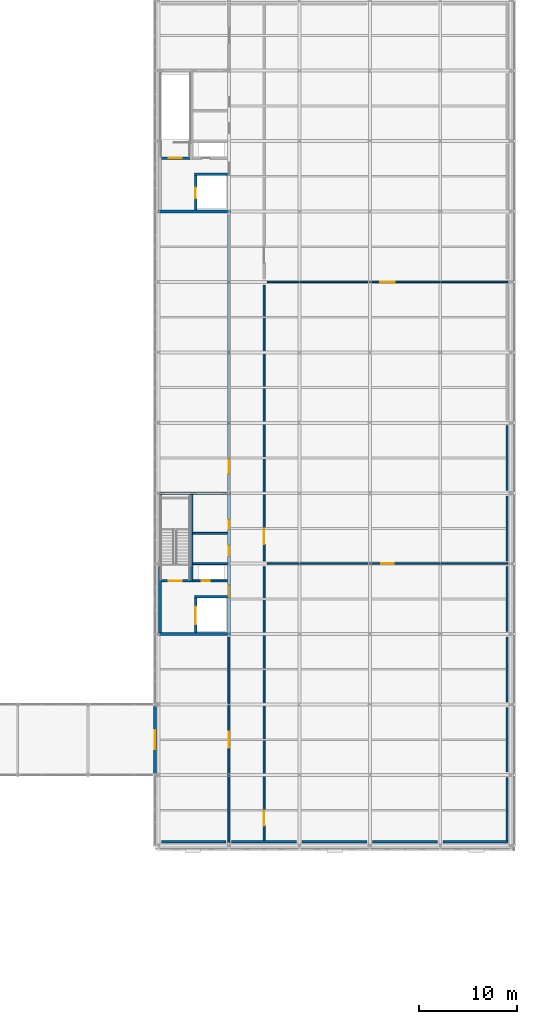
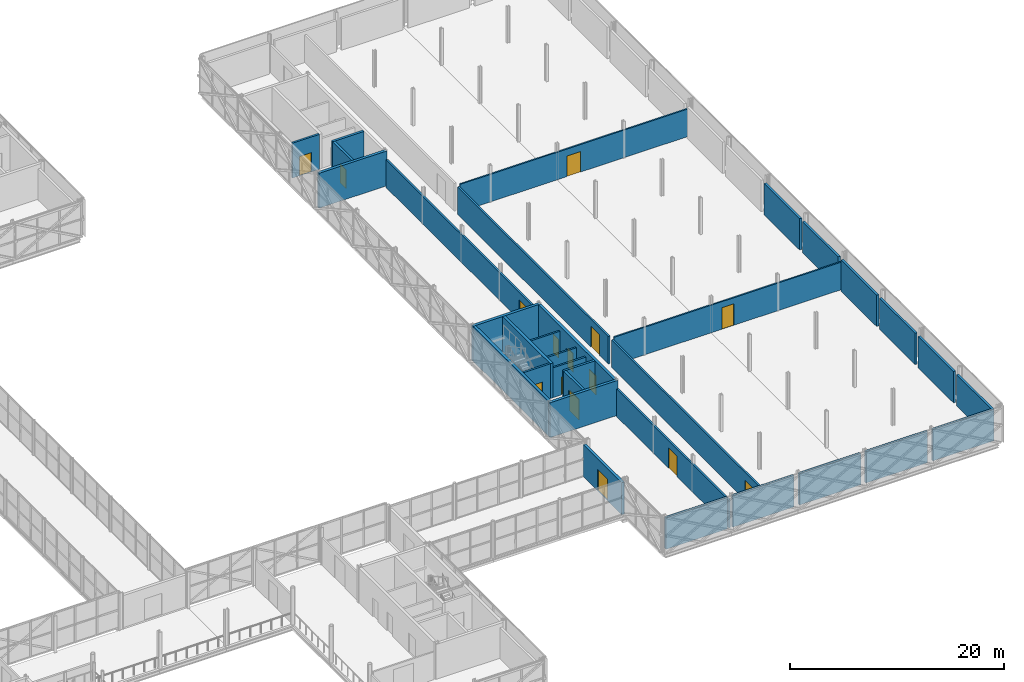
# One storey, part 125 of 146: 33 walls, 15 doors, 15 openings.
"""IFC4 building model written with IfcOpenShell, lengths in metres."""

from ifc_helpers import new_model, si_unit, direction, frame, frame_2d, origin, place, context, subcontext, project, spatial, rectangle, extrude, material, layer, layer_set, type_object, element, fill, save


model = new_model("IFC4")

# Units and contexts
model_context = context("Model", 3, precision=1e-05, world=origin(), true_north=direction((0.0, 1.0)))
body_context = subcontext(model_context, "Body", "Model", "MODEL_VIEW")
ifc_project = project(units=[si_unit("LENGTHUNIT", "METRE"), si_unit("AREAUNIT", "SQUARE_METRE"), si_unit("VOLUMEUNIT", "CUBIC_METRE"), si_unit("PLANEANGLEUNIT", "RADIAN"), si_unit("MASSUNIT", "GRAM", prefix="KILO")], contexts=[model_context])

# Site, building, storey
site_placement = place(None, origin())
site = spatial("IfcSite", under=ifc_project, at=site_placement, CompositionType="ELEMENT")
building_placement = place(site_placement, origin())
building = spatial("IfcBuilding", under=site, at=building_placement, Name="Zlatovets Crest Museum", CompositionType="ELEMENT")
storey_placement = place(building_placement, frame((0.0, 0.0, 4.5)))
storey = spatial("IfcBuildingStorey", under=building, at=storey_placement, Name="L01", CompositionType="ELEMENT", Elevation=4.5)

# Walls
ifc_material_1 = material(Name="Concrete C35/45", Category="concrete")
ifc_layer_1 = layer(ifc_material_1, 0.300048828125)
ifc_layer_set_1 = layer_set([ifc_layer_1], Name="Concrete C35/45")
wall_type_1 = type_object("IfcWallType", Name="CoreWall_SW01", PredefinedType="SHEAR", material=ifc_layer_set_1)
for number, where, z_axis, x_axis, name in (
    (1, (129.60009765625, 36.0, 0.0), (0.0, 0.0, 1.0), (1.0, 0.0, 0.0), "Core C5 L01 South Shear Wall"),
    (2, (129.60009765625, 50.39990234375, 0.0), (0.0, 0.0, 1.0), (1.0, 0.0, 0.0), "Core C5 L01 North Shear Wall"),
):
    element("IfcWall", number, at=place(storey_placement, frame(where, z_axis=z_axis, x_axis=x_axis)), inside=storey, type_object=wall_type_1, Name=name, PredefinedType="SHEAR", context=body_context, shape_type="SweptSolid", body=[
        extrude(rectangle(XDim=7.349853515625, YDim=0.300048828125, at=frame_2d((3.6748046875, 0.0))), origin(), (0.0, 0.0, 1.0), 3.97998046875),
    ])
wall_1_placement = place(storey_placement, frame((129.75, 36.14990234375, 0.0), z_axis=(0.0, 0.0, 1.0), x_axis=(0.0, 1.0, 0.0)))
element("IfcWall", 3, at=wall_1_placement, inside=storey, type_object=wall_type_1, Name="Core C5 L01 Perimeter Shear Wall", PredefinedType="SHEAR", context=body_context, shape_type="SweptSolid", body=[
    extrude(rectangle(XDim=14.10009765625, YDim=0.300048828125, at=frame_2d((7.050048828125, 0.0))), origin(), (0.0, 0.0, 1.0), 3.97998046875),
])

# Wall, openings, doors
wall_2_placement = place(storey_placement, frame((136.800048828125, 36.14990234375, 0.0), z_axis=(0.0, 0.0, 1.0), x_axis=(0.0, 1.0, 0.0)))
wall_2 = element("IfcWall", 4, at=wall_2_placement, inside=storey, type_object=wall_type_1, Name="Core C5 L01 Spine Shear Wall", PredefinedType="SHEAR", context=body_context, shape_type="SweptSolid", body=[
    extrude(rectangle(XDim=14.10009765625, YDim=0.300048828125, at=frame_2d((7.050048828125, 0.0))), origin(), (0.0, 0.0, 1.0), 3.97998046875),
])
opening_1_placement = place(wall_2_placement, frame((3.550048828125, 0.0, 0.0)))
opening_1 = element("IfcOpeningElement", 5, at=opening_1_placement, cuts=wall_2, Name="Opening FD-01", PredefinedType="OPENING", context=body_context, shape_type="SweptSolid", body=[
    extrude(rectangle(XDim=1.300048828125, YDim=2.199951171875, at=frame_2d((0.64990234375, 1.10009765625))), frame((0.0, 0.16015625, 0.0), z_axis=(0.0, -1.0, 0.0), x_axis=(1.0, 0.0, 0.0)), (0.0, 0.0, 1.0), 0.320068359375),
])
opening_2_placement = place(wall_2_placement, frame((7.85009765625, 0.0, 0.0)))
opening_2 = element("IfcOpeningElement", 6, at=opening_2_placement, cuts=wall_2, Name="Opening ID-02", PredefinedType="OPENING", context=body_context, shape_type="SweptSolid", body=[
    extrude(rectangle(XDim=1.050048828125, YDim=2.14990234375, at=frame_2d((0.52490234375, 1.074951171875))), frame((0.0, 0.16015625, 0.0), z_axis=(0.0, -1.0, 0.0), x_axis=(1.0, 0.0, 0.0)), (0.0, 0.0, 1.0), 0.320068359375),
])
opening_3_placement = place(wall_2_placement, frame((10.550048828125, 0.0, 0.0)))
opening_3 = element("IfcOpeningElement", 7, at=opening_3_placement, cuts=wall_2, Name="Opening ID-01", PredefinedType="OPENING", context=body_context, shape_type="SweptSolid", body=[
    extrude(rectangle(XDim=1.0, YDim=2.14990234375, at=frame_2d((0.5, 1.074951171875))), frame((0.0, 0.16015625, 0.0), z_axis=(0.0, -1.0, 0.0), x_axis=(1.0, 0.0, 0.0)), (0.0, 0.0, 1.0), 0.320068359375),
])
ifc_material_2 = material(Name="Smoke-sealed steel fire door", Category="steel")
door_type_1 = type_object("IfcDoorType", Name="IntDoor_FD-01", OperationType="NOTDEFINED", PredefinedType="DOOR", material=ifc_material_2)
door_1_placement = place(opening_1_placement, origin())
door_1 = element("IfcDoor", 8, at=door_1_placement, inside=storey, type_object=door_type_1, Name="CDOOR-C5-L01-LOB Core C5 L01 Lobby Fire Door", OperationType="SINGLE_SWING_LEFT", OverallHeight=2.199951171875, OverallWidth=1.300048828125, PredefinedType="DOOR", context=body_context, shape_type="SweptSolid", body=[
    extrude(rectangle(XDim=1.300048828125, YDim=2.199951171875, at=frame_2d((0.64990234375, 1.10009765625))), frame((0.0, 0.02490234375, 0.0), z_axis=(0.0, -1.0, 0.0), x_axis=(1.0, 0.0, 0.0)), (0.0, 0.0, 1.0), 0.050048828125),
])
fill(opening_1, door_1)
ifc_material_3 = material(Name="Solid oak museum room door")
door_type_2 = type_object("IfcDoorType", Name="IntDoor_ID-01", OperationType="NOTDEFINED", PredefinedType="DOOR", material=ifc_material_3)
door_2_placement = place(opening_3_placement, origin())
door_2 = element("IfcDoor", 9, at=door_2_placement, inside=storey, type_object=door_type_2, Name="CDOOR-C5-L01-WC Core C5 L01 Public Restroom Door", OperationType="SINGLE_SWING_RIGHT", OverallHeight=2.14990234375, OverallWidth=1.0, PredefinedType="DOOR", context=body_context, shape_type="SweptSolid", body=[
    extrude(rectangle(XDim=1.0, YDim=2.14990234375, at=frame_2d((0.5, 1.074951171875))), frame((0.0, 0.02490234375, 0.0), z_axis=(0.0, -1.0, 0.0), x_axis=(1.0, 0.0, 0.0)), (0.0, 0.0, 1.0), 0.050048828125),
])
fill(opening_3, door_2)
ifc_material_4 = material(Name="Accessible sanitary room door")
door_type_3 = type_object("IfcDoorType", Name="IntDoor_ID-02", OperationType="NOTDEFINED", PredefinedType="DOOR", material=ifc_material_4)
door_3_placement = place(opening_2_placement, origin())
door_3 = element("IfcDoor", 10, at=door_3_placement, inside=storey, type_object=door_type_3, Name="CDOOR-C5-L01-AWC Core C5 L01 Accessible WC Door", OperationType="SINGLE_SWING_LEFT", OverallHeight=2.14990234375, OverallWidth=1.050048828125, PredefinedType="DOOR", context=body_context, shape_type="SweptSolid", body=[
    extrude(rectangle(XDim=1.050048828125, YDim=2.14990234375, at=frame_2d((0.52490234375, 1.074951171875))), frame((0.0, 0.02490234375, 0.0), z_axis=(0.0, -1.0, 0.0), x_axis=(1.0, 0.0, 0.0)), (0.0, 0.0, 1.0), 0.050048828125),
])
fill(opening_2, door_3)

# Walls
wall_3_placement = place(storey_placement, frame((132.949951171875, 41.340087890625, 0.0), z_axis=(0.0, 0.0, 1.0), x_axis=(0.0, 1.0, 0.0)))
element("IfcWall", 11, at=wall_3_placement, inside=storey, type_object=wall_type_1, Name="Core C5 L01 Stair Divider Wall", PredefinedType="SHEAR", context=body_context, shape_type="SweptSolid", body=[
    extrude(rectangle(XDim=8.909912109375, YDim=0.300048828125, at=frame_2d((4.455078125, 0.0))), origin(), (0.0, 0.0, 1.0), 3.97998046875),
])
wall_4_placement = place(storey_placement, frame((129.60009765625, 79.199951171875, 0.0), z_axis=(0.0, 0.0, 1.0), x_axis=(1.0, 0.0, 0.0)))
element("IfcWall", 12, at=wall_4_placement, inside=storey, type_object=wall_type_1, Name="Core C7 L01 South Shear Wall", PredefinedType="SHEAR", context=body_context, shape_type="SweptSolid", body=[
    extrude(rectangle(XDim=7.349853515625, YDim=0.300048828125, at=frame_2d((3.6748046875, 0.0))), origin(), (0.0, 0.0, 1.0), 3.97998046875),
])

# Wall, opening, door
ifc_layer_2 = layer(ifc_material_1, 0.25)
ifc_layer_set_2 = layer_set([ifc_layer_2], Name="Concrete C35/45")
wall_type_2 = type_object("IfcWallType", Name="CoreWall_SW02", PredefinedType="SHEAR", material=ifc_layer_set_2)
wall_5_placement = place(storey_placement, frame((133.39990234375, 36.14990234375, 0.0), z_axis=(0.0, 0.0, 1.0), x_axis=(0.0, 1.0, 0.0)))
wall_5 = element("IfcWall", 13, at=wall_5_placement, inside=storey, type_object=wall_type_2, Name="Core C5 L01 Lift Shaft Wall", PredefinedType="SHEAR", context=body_context, shape_type="SweptSolid", body=[
    extrude(rectangle(XDim=3.525146484375, YDim=0.25, at=frame_2d((1.7626953125, 0.0))), origin(), (0.0, 0.0, 1.0), 3.97998046875),
])
opening_4_placement = place(wall_5_placement, frame((0.85009765625, 0.0, 0.0)))
opening_4 = element("IfcOpeningElement", 14, at=opening_4_placement, cuts=wall_5, Name="Opening LD-02", PredefinedType="OPENING", context=body_context, shape_type="SweptSolid", body=[
    extrude(rectangle(XDim=1.800048828125, YDim=2.35009765625, at=frame_2d((0.89990234375, 1.175048828125))), frame((0.0, 0.135009765625, 0.0), z_axis=(0.0, -1.0, 0.0), x_axis=(1.0, 0.0, 0.0)), (0.0, 0.0, 1.0), 0.27001953125),
])
ifc_material_5 = material(Name="Heavy sliding goods-lift landing door")
door_type_4 = type_object("IfcDoorType", Name="IntDoor_LD-02", OperationType="SLIDING_TO_LEFT", PredefinedType="DOOR", material=ifc_material_5)
door_4_placement = place(opening_4_placement, origin())
door_4 = element("IfcDoor", 15, at=door_4_placement, inside=storey, type_object=door_type_4, Name="LDOOR-GL1-L01 Lift GL1 L01 Sliding Landing Door", OperationType="SLIDING_TO_LEFT", OverallHeight=2.35009765625, OverallWidth=1.800048828125, PredefinedType="DOOR", context=body_context, shape_type="SweptSolid", body=[
    extrude(rectangle(XDim=1.800048828125, YDim=2.35009765625, at=frame_2d((0.89990234375, 1.175048828125))), frame((0.0, 0.02490234375, 0.0), z_axis=(0.0, -1.0, 0.0), x_axis=(1.0, 0.0, 0.0)), (0.0, 0.0, 1.0), 0.050048828125),
])
fill(opening_4, door_4)

wall_6_placement = place(storey_placement, frame((129.89990234375, 41.449951171875, 0.0), z_axis=(0.0, 0.0, 1.0), x_axis=(1.0, 0.0, 0.0)))
wall_6 = element("IfcWall", 16, at=wall_6_placement, inside=storey, type_object=wall_type_2, Name="Core C5 L01 Stairwell Fire Wall", PredefinedType="SHEAR", context=body_context, shape_type="SweptSolid", body=[
    extrude(rectangle(XDim=2.900146484375, YDim=0.219970703125, at=frame_2d((1.4501953125, 0.0))), origin(), (0.0, 0.0, 1.0), 3.97998046875),
])
opening_5_placement = place(wall_6_placement, frame((0.75, 0.0, 0.0)))
opening_5 = element("IfcOpeningElement", 17, at=opening_5_placement, cuts=wall_6, Name="Opening FD-01", PredefinedType="OPENING", context=body_context, shape_type="SweptSolid", body=[
    extrude(rectangle(XDim=1.300048828125, YDim=2.199951171875, at=frame_2d((0.64990234375, 1.10009765625))), frame((0.0, 0.1201171875, 0.0), z_axis=(0.0, -1.0, 0.0), x_axis=(1.0, 0.0, 0.0)), (0.0, 0.0, 1.0), 0.239990234375),
])
door_5_placement = place(opening_5_placement, origin())
door_5 = element("IfcDoor", 18, at=door_5_placement, inside=storey, type_object=door_type_1, Name="SDOOR-ST5-L01 Stair ST5 L01 Fire Door", OperationType="SINGLE_SWING_LEFT", OverallHeight=2.199951171875, OverallWidth=1.300048828125, PredefinedType="DOOR", context=body_context, shape_type="SweptSolid", body=[
    extrude(rectangle(XDim=1.300048828125, YDim=2.199951171875, at=frame_2d((0.64990234375, 1.10009765625))), frame((0.0, 0.02490234375, 0.0), z_axis=(0.0, -1.0, 0.0), x_axis=(1.0, 0.0, 0.0)), (0.0, 0.0, 1.0), 0.050048828125),
])
fill(opening_5, door_5)

# Wall
wall_7_placement = place(storey_placement, frame((133.27490234375, 39.800048828125, 0.0), z_axis=(0.0, 0.0, 1.0), x_axis=(1.0, 0.0, 0.0)))
element("IfcWall", 19, at=wall_7_placement, inside=storey, type_object=wall_type_2, Name="Core C5 L01 Lift Shaft North Shear Wall", PredefinedType="SHEAR", context=body_context, shape_type="SweptSolid", body=[
    extrude(rectangle(XDim=3.375, YDim=0.25, at=frame_2d((1.6875, 0.0))), origin(), (0.0, 0.0, 1.0), 3.97998046875),
])

# Wall, opening, door
wall_8_placement = place(storey_placement, frame((133.39990234375, 79.35009765625, 0.0), z_axis=(0.0, 0.0, 1.0), x_axis=(0.0, 1.0, 0.0)))
wall_8 = element("IfcWall", 20, at=wall_8_placement, inside=storey, type_object=wall_type_2, Name="Core C7 L01 Lift Shaft Wall", PredefinedType="SHEAR", context=body_context, shape_type="SweptSolid", body=[
    extrude(rectangle(XDim=3.52490234375, YDim=0.25, at=frame_2d((1.762451171875, 0.0))), origin(), (0.0, 0.0, 1.0), 3.97998046875),
])
opening_6_placement = place(wall_8_placement, frame((1.199951171875, 0.0, 0.0)))
opening_6 = element("IfcOpeningElement", 21, at=opening_6_placement, cuts=wall_8, Name="Opening LD-01", PredefinedType="OPENING", context=body_context, shape_type="SweptSolid", body=[
    extrude(rectangle(XDim=1.10009765625, YDim=2.14990234375, at=frame_2d((0.550048828125, 1.074951171875))), frame((0.0, 0.135009765625, 0.0), z_axis=(0.0, -1.0, 0.0), x_axis=(1.0, 0.0, 0.0)), (0.0, 0.0, 1.0), 0.27001953125),
])
ifc_material_6 = material(Name="Stainless-bronze sliding lift landing door")
door_type_5 = type_object("IfcDoorType", Name="IntDoor_LD-01", OperationType="SLIDING_TO_LEFT", PredefinedType="DOOR", material=ifc_material_6)
door_6_placement = place(opening_6_placement, origin())
door_6 = element("IfcDoor", 22, at=door_6_placement, inside=storey, type_object=door_type_5, Name="LDOOR-PL4-L01 Lift PL4 L01 Sliding Landing Door", OperationType="SLIDING_TO_LEFT", OverallHeight=2.14990234375, OverallWidth=1.10009765625, PredefinedType="DOOR", context=body_context, shape_type="SweptSolid", body=[
    extrude(rectangle(XDim=1.10009765625, YDim=2.14990234375, at=frame_2d((0.550048828125, 1.074951171875))), frame((0.0, 0.02490234375, 0.0), z_axis=(0.0, -1.0, 0.0), x_axis=(1.0, 0.0, 0.0)), (0.0, 0.0, 1.0), 0.050048828125),
])
fill(opening_6, door_6)

wall_9_placement = place(storey_placement, frame((129.89990234375, 84.64990234375, 0.0), z_axis=(0.0, 0.0, 1.0), x_axis=(1.0, 0.0, 0.0)))
wall_9 = element("IfcWall", 23, at=wall_9_placement, inside=storey, type_object=wall_type_2, Name="Core C7 L01 Stairwell Fire Wall", PredefinedType="SHEAR", context=body_context, shape_type="SweptSolid", body=[
    extrude(rectangle(XDim=2.900146484375, YDim=0.219970703125, at=frame_2d((1.4501953125, 0.0))), origin(), (0.0, 0.0, 1.0), 3.97998046875),
])
opening_7_placement = place(wall_9_placement, frame((0.75, 0.0, 0.0)))
opening_7 = element("IfcOpeningElement", 24, at=opening_7_placement, cuts=wall_9, Name="Opening FD-01", PredefinedType="OPENING", context=body_context, shape_type="SweptSolid", body=[
    extrude(rectangle(XDim=1.300048828125, YDim=2.199951171875, at=frame_2d((0.64990234375, 1.10009765625))), frame((0.0, 0.1201171875, 0.0), z_axis=(0.0, -1.0, 0.0), x_axis=(1.0, 0.0, 0.0)), (0.0, 0.0, 1.0), 0.239990234375),
])
door_7_placement = place(opening_7_placement, origin())
door_7 = element("IfcDoor", 25, at=door_7_placement, inside=storey, type_object=door_type_1, Name="SDOOR-ST8-L01 Stair ST8 L01 Fire Door", OperationType="SINGLE_SWING_LEFT", OverallHeight=2.199951171875, OverallWidth=1.300048828125, PredefinedType="DOOR", context=body_context, shape_type="SweptSolid", body=[
    extrude(rectangle(XDim=1.300048828125, YDim=2.199951171875, at=frame_2d((0.64990234375, 1.10009765625))), frame((0.0, 0.02490234375, 0.0), z_axis=(0.0, -1.0, 0.0), x_axis=(1.0, 0.0, 0.0)), (0.0, 0.0, 1.0), 0.050048828125),
])
fill(opening_7, door_7)

# Walls
wall_10_placement = place(storey_placement, frame((133.27490234375, 83.0, 0.0), z_axis=(0.0, 0.0, 1.0), x_axis=(1.0, 0.0, 0.0)))
element("IfcWall", 26, at=wall_10_placement, inside=storey, type_object=wall_type_2, Name="Core C7 L01 Lift Shaft North Shear Wall", PredefinedType="SHEAR", context=body_context, shape_type="SweptSolid", body=[
    extrude(rectangle(XDim=3.375, YDim=0.25, at=frame_2d((1.6875, 0.0))), origin(), (0.0, 0.0, 1.0), 3.97998046875),
])
ifc_material_7 = material(Name="Insulated gallery conservation liner wall", Category="concrete")
ifc_layer_3 = layer(ifc_material_7, 0.300048828125)
ifc_layer_set_3 = layer_set([ifc_layer_3], Name="Insulated gallery conservation liner wall")
wall_type_3 = type_object("IfcWallType", Name="ExtWall_EW-02", PredefinedType="STANDARD", material=ifc_layer_set_3)
wall_11_placement = place(storey_placement, frame((129.8798828125, 14.780029296875, 0.0), z_axis=(0.0, 0.0, 1.0), x_axis=(1.0, 0.0, 0.0)))
element("IfcWall", 27, at=wall_11_placement, inside=storey, type_object=wall_type_3, Name="V5 L01 Interior Conservation Gallery Liner Wall", PredefinedType="STANDARD", context=body_context, shape_type="SweptSolid", body=[
    extrude(rectangle(XDim=6.64013671875, YDim=0.239990234375, at=frame_2d((3.320068359375, 0.0))), origin(), (0.0, 0.0, 1.0), 3.580078125),
])
for number, where, z_axis, x_axis, name in (
    (28, (137.080078125, 14.780029296875, 0.0), (0.0, 0.0, 1.0), (1.0, 0.0, 0.0), "V5 L01 Interior Conservation Gallery Liner Wall"),
    (29, (144.280029296875, 14.780029296875, 0.0), (0.0, 0.0, 1.0), (1.0, 0.0, 0.0), "V5 L01 Interior Conservation Gallery Liner Wall"),
):
    element("IfcWall", number, at=place(storey_placement, frame(where, z_axis=z_axis, x_axis=x_axis)), inside=storey, type_object=wall_type_3, Name=name, PredefinedType="STANDARD", context=body_context, shape_type="SweptSolid", body=[
        extrude(rectangle(XDim=6.639892578125, YDim=0.239990234375, at=frame_2d((3.31982421875, 0.0))), origin(), (0.0, 0.0, 1.0), 3.580078125),
    ])
for number, where, z_axis, x_axis, name in (
    (30, (151.47998046875, 14.780029296875, 0.0), (0.0, 0.0, 1.0), (1.0, 0.0, 0.0), "V5 L01 Interior Conservation Gallery Liner Wall"),
    (31, (158.679931640625, 14.780029296875, 0.0), (0.0, 0.0, 1.0), (1.0, 0.0, 0.0), "V5 L01 Interior Conservation Gallery Liner Wall"),
    (32, (165.219970703125, 14.679931640625, 0.0), (0.0, 0.0, 1.0), (0.0, 1.0, 0.0), "V5 L01 Interior Conservation Gallery Liner Wall"),
    (33, (165.219970703125, 21.8798828125, 0.0), (0.0, 0.0, 1.0), (0.0, 1.0, 0.0), "V5 L01 Interior Conservation Gallery Liner Wall"),
):
    element("IfcWall", number, at=place(storey_placement, frame(where, z_axis=z_axis, x_axis=x_axis)), inside=storey, type_object=wall_type_3, Name=name, PredefinedType="STANDARD", context=body_context, shape_type="SweptSolid", body=[
        extrude(rectangle(XDim=6.64013671875, YDim=0.239990234375, at=frame_2d((3.320068359375, 0.0))), origin(), (0.0, 0.0, 1.0), 3.580078125),
    ])
for number, where, z_axis, x_axis, name in (
    (34, (165.219970703125, 29.080078125, 0.0), (0.0, 0.0, 1.0), (0.0, 1.0, 0.0), "V5 L01 Interior Conservation Gallery Liner Wall"),
    (35, (165.219970703125, 36.280029296875, 0.0), (0.0, 0.0, 1.0), (0.0, 1.0, 0.0), "V5 L01 Interior Conservation Gallery Liner Wall"),
):
    element("IfcWall", number, at=place(storey_placement, frame(where, z_axis=z_axis, x_axis=x_axis)), inside=storey, type_object=wall_type_3, Name=name, PredefinedType="STANDARD", context=body_context, shape_type="SweptSolid", body=[
        extrude(rectangle(XDim=6.639892578125, YDim=0.239990234375, at=frame_2d((3.31982421875, 0.0))), origin(), (0.0, 0.0, 1.0), 3.580078125),
    ])
for number, where, z_axis, x_axis, name in (
    (36, (165.219970703125, 43.47998046875, 0.0), (0.0, 0.0, 1.0), (0.0, 1.0, 0.0), "V5 L01 Interior Conservation Gallery Liner Wall"),
    (37, (165.219970703125, 50.679931640625, 0.0), (0.0, 0.0, 1.0), (0.0, 1.0, 0.0), "V5 L01 Interior Conservation Gallery Liner Wall"),
):
    element("IfcWall", number, at=place(storey_placement, frame(where, z_axis=z_axis, x_axis=x_axis)), inside=storey, type_object=wall_type_3, Name=name, PredefinedType="STANDARD", context=body_context, shape_type="SweptSolid", body=[
        extrude(rectangle(XDim=6.64013671875, YDim=0.239990234375, at=frame_2d((3.320068359375, 0.0))), origin(), (0.0, 0.0, 1.0), 3.580078125),
    ])

# Wall, opening, door
wall_12_placement = place(storey_placement, frame((129.260009765625, 28.800048828125, 0.0), z_axis=(0.0, 0.0, 1.0), x_axis=(0.0, -1.0, 0.0)))
wall_12 = element("IfcWall", 38, at=wall_12_placement, inside=storey, type_object=wall_type_3, Name="V5 L01 Bridge Portal Wall", PredefinedType="STANDARD", context=body_context, shape_type="SweptSolid", body=[
    extrude(rectangle(XDim=7.199951171875, YDim=0.300048828125, at=frame_2d((3.60009765625, 0.0))), origin(), (0.0, 0.0, 1.0), 3.64990234375),
])
opening_8_placement = place(wall_12_placement, frame((2.64990234375, 0.0, 0.0)))
opening_8 = element("IfcOpeningElement", 39, at=opening_8_placement, cuts=wall_12, Name="Opening ED-02", PredefinedType="OPENING", context=body_context, shape_type="SweptSolid", body=[
    extrude(rectangle(XDim=1.89990234375, YDim=2.449951171875, at=frame_2d((0.949951171875, 1.22509765625))), frame((0.0, 0.16015625, 0.0), z_axis=(0.0, -1.0, 0.0), x_axis=(1.0, 0.0, 0.0)), (0.0, 0.0, 1.0), 0.320068359375),
])
ifc_material_8 = material(Name="Bronze-clad insulated steel door", Category="steel")
door_type_6 = type_object("IfcDoorType", Name="ExtDoor_ED-02", OperationType="NOTDEFINED", PredefinedType="DOOR", material=ifc_material_8)
door_8_placement = place(opening_8_placement, origin())
door_8 = element("IfcDoor", 40, at=door_8_placement, inside=storey, type_object=door_type_6, Name="ED-V5-L01-BR047 V5 L01 Bridge Link Portal Door", OperationType="DOUBLE_DOOR_SINGLE_SWING", OverallHeight=2.449951171875, OverallWidth=1.89990234375, PredefinedType="DOOR", context=body_context, shape_type="SweptSolid", body=[
    extrude(rectangle(XDim=1.89990234375, YDim=2.449951171875, at=frame_2d((0.949951171875, 1.22509765625))), frame((0.0, 0.02490234375, 0.0), z_axis=(0.0, -1.0, 0.0), x_axis=(1.0, 0.0, 0.0)), (0.0, 0.0, 1.0), 0.050048828125),
])
fill(opening_8, door_8)

ifc_material_9 = material(Name="Gypsum-encased fire compartment partition")
ifc_layer_4 = layer(ifc_material_9, 0.199951171875)
ifc_layer_set_4 = layer_set([ifc_layer_4], Name="Gypsum-encased fire compartment partition")
wall_type_4 = type_object("IfcWallType", Name="PartWall_PT-01", PredefinedType="PARTITIONING", material=ifc_layer_set_4)
wall_13_placement = place(storey_placement, frame((140.39990234375, 14.719970703125, 0.0), z_axis=(0.0, 0.0, 1.0), x_axis=(0.0, 1.0, 0.0)))
wall_13 = element("IfcWall", 41, at=wall_13_placement, inside=storey, type_object=wall_type_4, Name="V5 L01 Interior Partition PT-01", PredefinedType="PARTITIONING", context=body_context, shape_type="SweptSolid", body=[
    extrude(rectangle(XDim=28.159912109375, YDim=0.199951171875, at=frame_2d((14.080078125, 0.0))), origin(), (0.0, 0.0, 1.0), 3.14990234375),
])
opening_9_placement = place(wall_13_placement, frame((1.69873046875, 0.0, 0.0)))
opening_9 = element("IfcOpeningElement", 42, at=opening_9_placement, cuts=wall_13, Name="Opening FD-02", PredefinedType="OPENING", context=body_context, shape_type="SweptSolid", body=[
    extrude(rectangle(XDim=1.5, YDim=2.25, at=frame_2d((0.75, 1.125))), frame((0.0, 0.10986328125, 0.0), z_axis=(0.0, -1.0, 0.0), x_axis=(1.0, 0.0, 0.0)), (0.0, 0.0, 1.0), 0.219970703125),
])
ifc_material_10 = material(Name="Double corridor compartment fire door")
door_type_7 = type_object("IfcDoorType", Name="IntDoor_FD-02", OperationType="DOUBLE_DOOR_SINGLE_SWING", PredefinedType="DOOR", material=ifc_material_10)
door_9_placement = place(opening_9_placement, origin())
door_9 = element("IfcDoor", 43, at=door_9_placement, inside=storey, type_object=door_type_7, Name="IDOOR-V5-L01-0129 Conservation First Floor Corridor to Easel Painting Conservation Laboratory Door", OperationType="DOUBLE_DOOR_SINGLE_SWING", OverallHeight=2.25, OverallWidth=1.5, PredefinedType="DOOR", context=body_context, shape_type="SweptSolid", body=[
    extrude(rectangle(XDim=1.5, YDim=2.25, at=frame_2d((0.75, 1.125))), frame((0.0, 0.02490234375, 0.0), z_axis=(0.0, -1.0, 0.0), x_axis=(1.0, 0.0, 0.0)), (0.0, 0.0, 1.0), 0.050048828125),
])
fill(opening_9, door_9)

wall_14_placement = place(storey_placement, frame((140.39990234375, 43.52001953125, 0.0), z_axis=(0.0, 0.0, 1.0), x_axis=(0.0, 1.0, 0.0)))
wall_14 = element("IfcWall", 44, at=wall_14_placement, inside=storey, type_object=wall_type_4, Name="V5 L01 Interior Partition PT-01", PredefinedType="PARTITIONING", context=body_context, shape_type="SweptSolid", body=[
    extrude(rectangle(XDim=28.159912109375, YDim=0.199951171875, at=frame_2d((14.080078125, 0.0))), origin(), (0.0, 0.0, 1.0), 3.14990234375),
])
opening_10_placement = place(wall_14_placement, frame((1.648681640625, 0.0, 0.0)))
opening_10 = element("IfcOpeningElement", 45, at=opening_10_placement, cuts=wall_14, Name="Opening ID-04", PredefinedType="OPENING", context=body_context, shape_type="SweptSolid", body=[
    extrude(rectangle(XDim=1.60009765625, YDim=2.35009765625, at=frame_2d((0.800048828125, 1.175048828125))), frame((0.0, 0.10986328125, 0.0), z_axis=(0.0, -1.0, 0.0), x_axis=(1.0, 0.0, 0.0)), (0.0, 0.0, 1.0), 0.219970703125),
])
ifc_material_11 = material(Name="Gallery salon double portal door")
door_type_8 = type_object("IfcDoorType", Name="IntDoor_ID-04", OperationType="DOUBLE_DOOR_SINGLE_SWING", PredefinedType="DOOR", material=ifc_material_11)
door_10_placement = place(opening_10_placement, origin())
door_10 = element("IfcDoor", 46, at=door_10_placement, inside=storey, type_object=door_type_8, Name="IDOOR-V5-L01-0130 Conservation First Floor Corridor to Textile and Tapestry Conservation Laboratory Door", OperationType="DOUBLE_DOOR_SINGLE_SWING", OverallHeight=2.35009765625, OverallWidth=1.60009765625, PredefinedType="DOOR", context=body_context, shape_type="SweptSolid", body=[
    extrude(rectangle(XDim=1.60009765625, YDim=2.35009765625, at=frame_2d((0.800048828125, 1.175048828125))), frame((0.0, 0.02490234375, 0.0), z_axis=(0.0, -1.0, 0.0), x_axis=(1.0, 0.0, 0.0)), (0.0, 0.0, 1.0), 0.050048828125),
])
fill(opening_10, door_10)

wall_15_placement = place(storey_placement, frame((136.800048828125, 50.719970703125, 0.0), z_axis=(0.0, 0.0, 1.0), x_axis=(0.0, 1.0, 0.0)))
wall_15 = element("IfcWall", 47, at=wall_15_placement, inside=storey, type_object=wall_type_4, Name="V5 L01 Interior Partition PT-01", PredefinedType="PARTITIONING", context=body_context, shape_type="SweptSolid", body=[
    extrude(rectangle(XDim=28.159912109375, YDim=0.199951171875, at=frame_2d((14.080078125, 0.0))), origin(), (0.0, 0.0, 1.0), 3.14990234375),
])
opening_11_placement = place(wall_15_placement, frame((1.69873046875, 0.0, 0.0)))
opening_11 = element("IfcOpeningElement", 48, at=opening_11_placement, cuts=wall_15, Name="Opening FD-02", PredefinedType="OPENING", context=body_context, shape_type="SweptSolid", body=[
    extrude(rectangle(XDim=1.5, YDim=2.25, at=frame_2d((0.75, 1.125))), frame((0.0, 0.10986328125, 0.0), z_axis=(0.0, -1.0, 0.0), x_axis=(1.0, 0.0, 0.0)), (0.0, 0.0, 1.0), 0.219970703125),
])
door_11_placement = place(opening_11_placement, origin())
door_11 = element("IfcDoor", 49, at=door_11_placement, inside=storey, type_object=door_type_7, Name="IDOOR-V5-L01-0132 Conservation First Floor Corridor to Conservation in Action Study Gallery Door", OperationType="DOUBLE_DOOR_SINGLE_SWING", OverallHeight=2.25, OverallWidth=1.5, PredefinedType="DOOR", context=body_context, shape_type="SweptSolid", body=[
    extrude(rectangle(XDim=1.5, YDim=2.25, at=frame_2d((0.75, 1.125))), frame((0.0, 0.02490234375, 0.0), z_axis=(0.0, -1.0, 0.0), x_axis=(1.0, 0.0, 0.0)), (0.0, 0.0, 1.0), 0.050048828125),
])
fill(opening_11, door_11)

wall_16_placement = place(storey_placement, frame((136.800048828125, 14.719970703125, 0.0), z_axis=(0.0, 0.0, 1.0), x_axis=(0.0, 1.0, 0.0)))
wall_16 = element("IfcWall", 50, at=wall_16_placement, inside=storey, type_object=wall_type_4, Name="V5 L01 Interior Partition PT-01", PredefinedType="PARTITIONING", context=body_context, shape_type="SweptSolid", body=[
    extrude(rectangle(XDim=20.9599609375, YDim=0.199951171875, at=frame_2d((10.47998046875, 0.0))), origin(), (0.0, 0.0, 1.0), 3.14990234375),
])
opening_12_placement = place(wall_16_placement, frame((9.679931640625, 0.0, 0.0)))
opening_12 = element("IfcOpeningElement", 51, at=opening_12_placement, cuts=wall_16, Name="Opening ID-04", PredefinedType="OPENING", context=body_context, shape_type="SweptSolid", body=[
    extrude(rectangle(XDim=1.60009765625, YDim=2.35009765625, at=frame_2d((0.800048828125, 1.175048828125))), frame((0.0, 0.10986328125, 0.0), z_axis=(0.0, -1.0, 0.0), x_axis=(1.0, 0.0, 0.0)), (0.0, 0.0, 1.0), 0.219970703125),
])
door_12_placement = place(opening_12_placement, origin())
door_12 = element("IfcDoor", 52, at=door_12_placement, inside=storey, type_object=door_type_8, Name="IDOOR-V5-L01-0133 Conservation First Floor Corridor to Southeast Bridge Vestibule V5 Door", OperationType="DOUBLE_DOOR_SINGLE_SWING", OverallHeight=2.35009765625, OverallWidth=1.60009765625, PredefinedType="DOOR", context=body_context, shape_type="SweptSolid", body=[
    extrude(rectangle(XDim=1.60009765625, YDim=2.35009765625, at=frame_2d((0.800048828125, 1.175048828125))), frame((0.0, 0.02490234375, 0.0), z_axis=(0.0, -1.0, 0.0), x_axis=(1.0, 0.0, 0.0)), (0.0, 0.0, 1.0), 0.050048828125),
])
fill(opening_12, door_12)

ifc_material_12 = material(Name="Acoustic museum gallery stud partition")
ifc_layer_5 = layer(ifc_material_12, 0.159912109375)
ifc_layer_set_5 = layer_set([ifc_layer_5], Name="Acoustic museum gallery stud partition")
wall_type_5 = type_object("IfcWallType", Name="PartWall_PT-02", PredefinedType="PARTITIONING", material=ifc_layer_set_5)
wall_17_placement = place(storey_placement, frame((140.719970703125, 43.199951171875, 0.0), z_axis=(0.0, 0.0, 1.0), x_axis=(1.0, 0.0, 0.0)))
wall_17 = element("IfcWall", 53, at=wall_17_placement, inside=storey, type_object=wall_type_5, Name="V5 L01 Interior Partition PT-02", PredefinedType="PARTITIONING", context=body_context, shape_type="SweptSolid", body=[
    extrude(rectangle(XDim=24.56005859375, YDim=0.159912109375, at=frame_2d((12.280029296875, 0.0))), origin(), (0.0, 0.0, 1.0), 3.14990234375),
])
opening_13_placement = place(wall_17_placement, frame((11.6298828125, 0.0, 0.0)))
opening_13 = element("IfcOpeningElement", 54, at=opening_13_placement, cuts=wall_17, Name="Opening ID-21", PredefinedType="OPENING", context=body_context, shape_type="SweptSolid", body=[
    extrude(rectangle(XDim=1.300048828125, YDim=2.449951171875, at=frame_2d((0.64990234375, 1.22509765625))), frame((0.0, 0.08984375, 0.0), z_axis=(0.0, -1.0, 0.0), x_axis=(1.0, 0.0, 0.0)), (0.0, 0.0, 1.0), 0.179931640625),
])
ifc_material_13 = material(Name="Restoration studio tall door")
door_type_9 = type_object("IfcDoorType", Name="IntDoor_ID-21", OperationType="NOTDEFINED", PredefinedType="DOOR", material=ifc_material_13)
door_13_placement = place(opening_13_placement, origin())
door_13 = element("IfcDoor", 55, at=door_13_placement, inside=storey, type_object=door_type_9, Name="IDOOR-V5-L01-0135 Easel Painting Conservation Laboratory to Textile and Tapestry Conservation Laboratory Door", OperationType="SINGLE_SWING_RIGHT", OverallHeight=2.449951171875, OverallWidth=1.300048828125, PredefinedType="DOOR", context=body_context, shape_type="SweptSolid", body=[
    extrude(rectangle(XDim=1.300048828125, YDim=2.449951171875, at=frame_2d((0.64990234375, 1.22509765625))), frame((0.0, 0.02490234375, 0.0), z_axis=(0.0, -1.0, 0.0), x_axis=(1.0, 0.0, 0.0)), (0.0, 0.0, 1.0), 0.050048828125),
])
fill(opening_13, door_13)

wall_18_placement = place(storey_placement, frame((140.719970703125, 72.0, 0.0), z_axis=(0.0, 0.0, 1.0), x_axis=(1.0, 0.0, 0.0)))
wall_18 = element("IfcWall", 56, at=wall_18_placement, inside=storey, type_object=wall_type_5, Name="V5 L01 Interior Partition PT-02", PredefinedType="PARTITIONING", context=body_context, shape_type="SweptSolid", body=[
    extrude(rectangle(XDim=24.56005859375, YDim=0.159912109375, at=frame_2d((12.280029296875, 0.0))), origin(), (0.0, 0.0, 1.0), 3.14990234375),
])
opening_14_placement = place(wall_18_placement, frame((11.554931640625, 0.0, 0.0)))
opening_14 = element("IfcOpeningElement", 57, at=opening_14_placement, cuts=wall_18, Name="Opening ID-22", PredefinedType="OPENING", context=body_context, shape_type="SweptSolid", body=[
    extrude(rectangle(XDim=1.449951171875, YDim=2.35009765625, at=frame_2d((0.72509765625, 1.175048828125))), frame((0.0, 0.08984375, 0.0), z_axis=(0.0, -1.0, 0.0), x_axis=(1.0, 0.0, 0.0)), (0.0, 0.0, 1.0), 0.179931640625),
])
ifc_material_14 = material(Name="Education studio double door")
door_type_10 = type_object("IfcDoorType", Name="IntDoor_ID-22", OperationType="DOUBLE_DOOR_SINGLE_SWING", PredefinedType="DOOR", material=ifc_material_14)
door_14_placement = place(opening_14_placement, origin())
door_14 = element("IfcDoor", 58, at=door_14_placement, inside=storey, type_object=door_type_10, Name="IDOOR-V5-L01-0136 Textile and Tapestry Conservation Laboratory to Paper and Manuscript Conservation Laboratory Door", OperationType="DOUBLE_DOOR_SINGLE_SWING", OverallHeight=2.35009765625, OverallWidth=1.449951171875, PredefinedType="DOOR", context=body_context, shape_type="SweptSolid", body=[
    extrude(rectangle(XDim=1.449951171875, YDim=2.35009765625, at=frame_2d((0.72509765625, 1.175048828125))), frame((0.0, 0.02490234375, 0.0), z_axis=(0.0, -1.0, 0.0), x_axis=(1.0, 0.0, 0.0)), (0.0, 0.0, 1.0), 0.050048828125),
])
fill(opening_14, door_14)

ifc_material_15 = material(Name="Sanitary core acoustic service wall")
ifc_layer_6 = layer(ifc_material_15, 0.219970703125)
ifc_layer_set_6 = layer_set([ifc_layer_6], Name="Sanitary core acoustic service wall")
wall_type_6 = type_object("IfcWallType", Name="PartWall_PT-04", PredefinedType="PLUMBINGWALL", material=ifc_layer_set_6)
wall_19_placement = place(storey_placement, frame((133.10009765625, 41.449951171875, 0.0), z_axis=(0.0, 0.0, 1.0), x_axis=(1.0, 0.0, 0.0)))
wall_19 = element("IfcWall", 59, at=wall_19_placement, inside=storey, type_object=wall_type_6, Name="Core C5 L01 Riser Lobby Wall", PredefinedType="PLUMBINGWALL", context=body_context, shape_type="SweptSolid", body=[
    extrude(rectangle(XDim=3.5498046875, YDim=0.199951171875, at=frame_2d((1.77490234375, 0.0))), origin(), (0.0, 0.0, 1.0), 3.39990234375),
])
opening_15_placement = place(wall_19_placement, frame((0.89990234375, 0.0, 0.0)))
opening_15 = element("IfcOpeningElement", 60, at=opening_15_placement, cuts=wall_19, Name="Opening FD-03", PredefinedType="OPENING", context=body_context, shape_type="SweptSolid", body=[
    extrude(rectangle(XDim=0.85009765625, YDim=2.050048828125, at=frame_2d((0.425048828125, 1.02490234375))), frame((0.0, 0.10986328125, 0.0), z_axis=(0.0, -1.0, 0.0), x_axis=(1.0, 0.0, 0.0)), (0.0, 0.0, 1.0), 0.219970703125),
])
ifc_material_16 = material(Name="Steel riser shaft access fire door", Category="steel")
door_type_11 = type_object("IfcDoorType", Name="IntDoor_FD-03", OperationType="NOTDEFINED", PredefinedType="TRAPDOOR", material=ifc_material_16)
door_15_placement = place(opening_15_placement, origin())
door_15 = element("IfcDoor", 61, at=door_15_placement, inside=storey, type_object=door_type_11, Name="CDOOR-C5-L01-RIS Core C5 L01 Riser Access Door", OperationType="SINGLE_SWING_RIGHT", OverallHeight=2.050048828125, OverallWidth=0.85009765625, PredefinedType="TRAPDOOR", context=body_context, shape_type="SweptSolid", body=[
    extrude(rectangle(XDim=0.85009765625, YDim=2.050048828125, at=frame_2d((0.425048828125, 1.02490234375))), frame((0.0, 0.02490234375, 0.0), z_axis=(0.0, -1.0, 0.0), x_axis=(1.0, 0.0, 0.0)), (0.0, 0.0, 1.0), 0.050048828125),
])
fill(opening_15, door_15)

# Walls
for number, where, z_axis, x_axis, name in (
    (62, (133.10009765625, 43.199951171875, 0.0), (0.0, 0.0, 1.0), (1.0, 0.0, 0.0), "Core C5 L01 Sanitary Divider"),
    (63, (133.10009765625, 46.300048828125, 0.0), (0.0, 0.0, 1.0), (1.0, 0.0, 0.0), "Core C5 L01 Sanitary Divider"),
):
    element("IfcWall", number, at=place(storey_placement, frame(where, z_axis=z_axis, x_axis=x_axis)), inside=storey, type_object=wall_type_6, Name=name, PredefinedType="PLUMBINGWALL", context=body_context, shape_type="SweptSolid", body=[
        extrude(rectangle(XDim=3.5498046875, YDim=0.199951171875, at=frame_2d((1.77490234375, 0.0))), origin(), (0.0, 0.0, 1.0), 3.39990234375),
    ])

save(model, "model.ifc")
